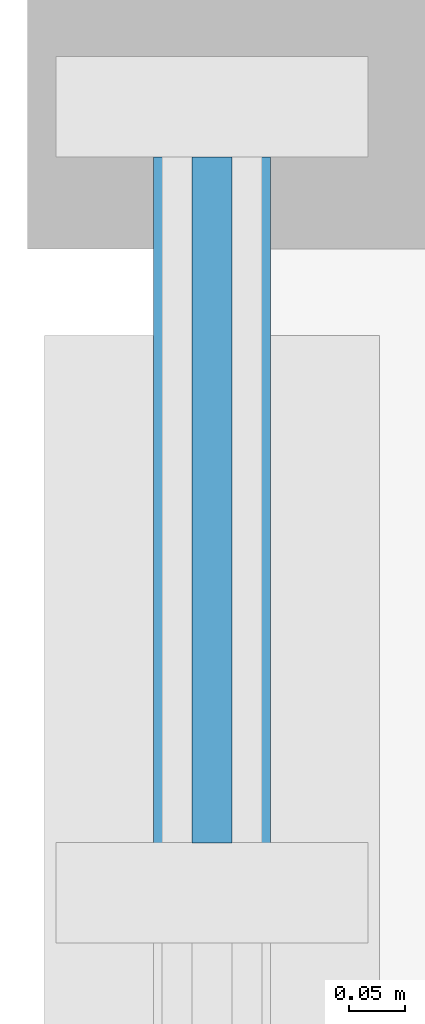
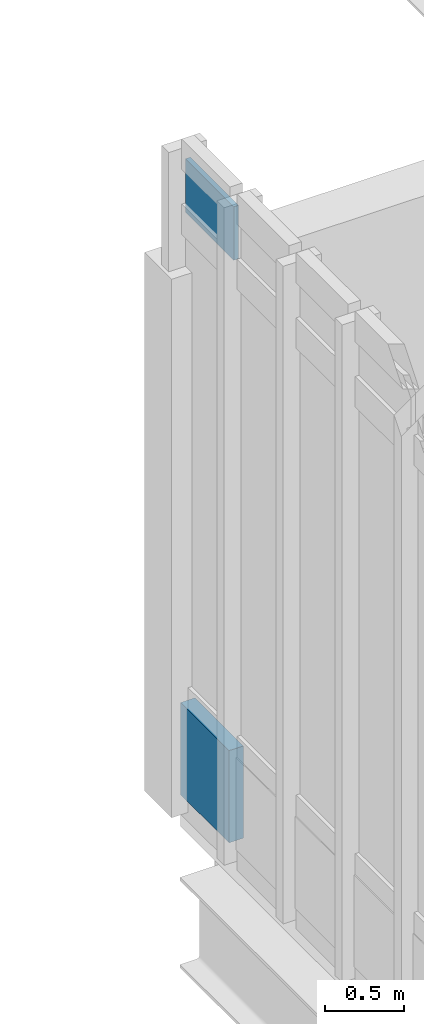
# One storey, part 93 of 127: 2 plates, 1 element without a shape of its own.
"""IFC4 building model written with IfcOpenShell, lengths in metres."""

from ifc_helpers import new_model, si_unit, direction, frame, origin, origin_2d, place, context, subcontext, project, spatial, rectangle, extrude, material, layer, layer_set, type_object, element, aggregate, save


model = new_model("IFC4")

# Units and contexts
model_context = context("Model", 3, precision=1e-05, world=origin(), true_north=direction((0.0, 1.0)))
body_context = subcontext(model_context, "Body", "Model", "MODEL_VIEW")
ifc_project = project(units=[si_unit("LENGTHUNIT", "METRE"), si_unit("AREAUNIT", "SQUARE_METRE"), si_unit("VOLUMEUNIT", "CUBIC_METRE"), si_unit("PLANEANGLEUNIT", "RADIAN"), si_unit("MASSUNIT", "GRAM", prefix="KILO")], contexts=[model_context])

# Site, building, storey
site_placement = place(None, origin())
site = spatial("IfcSite", under=ifc_project, at=site_placement, CompositionType="ELEMENT")
building_placement = place(site_placement, origin())
building = spatial("IfcBuilding", under=site, at=building_placement, Name="Larkvane Passage Sports Hall", CompositionType="ELEMENT")
storey_placement = place(building_placement, frame((0.0, 0.0, 5.39990234375)))
storey = spatial("IfcBuildingStorey", under=building, at=storey_placement, Name="L01", CompositionType="ELEMENT", Elevation=5.39990234375)

# Curtain wall, plates
ifc_material_1 = material(Name="Thermally broken aluminium and low-E glazing", Category="aluminium")
curtain_wall_type = type_object("IfcCurtainWallType", Name="CW-STICK-FOYER", PredefinedType="USERDEFINED", material=ifc_material_1)
curtain_wall_placement = place(storey_placement, origin())
curtain_wall = element("IfcCurtainWall", 1, at=curtain_wall_placement, inside=storey, type_object=curtain_wall_type, Name="Curtain wall CW5-L01-050", ObjectType="STICK CURTAIN WALL", PredefinedType="USERDEFINED")
ifc_material_2 = material(Name="Fire-stopped shadow-box spandrel panel")
ifc_layer_1 = layer(ifc_material_2, 0.10498046875)
ifc_layer_set_1 = layer_set([ifc_layer_1], Name="Fire-stopped shadow-box spandrel panel")
plate_type_1 = type_object("IfcPlateType", Name="CWP-SPD-105", PredefinedType="CURTAIN_PANEL", material=ifc_layer_set_1)
plate_1_placement = place(storey_placement, frame((118.0, 63.202392578125, 0.08984375), z_axis=(0.0, 0.0, 1.0), x_axis=(0.0, 1.0, 0.0)))
plate_1 = element("IfcPlate", 2, at=plate_1_placement, type_object=plate_type_1, Name="CW-03 panel 8.1", PredefinedType="CURTAIN_PANEL", context=body_context, shape_type="SweptSolid", body=[
    extrude(rectangle(XDim=0.614990234375, YDim=0.10498046875, at=origin_2d()), origin(), (0.0, 0.0, 1.0), 0.715087890625),
])
ifc_material_3 = material(Name="High-impact court low-E glazing", Category="glass")
ifc_layer_2 = layer(ifc_material_3, 0.035888671875)
ifc_layer_set_2 = layer_set([ifc_layer_2], Name="High-impact court low-E glazing")
plate_type_2 = type_object("IfcPlateType", Name="CWP-VIS-36", PredefinedType="CURTAIN_PANEL", material=ifc_layer_set_2)
plate_2_placement = place(storey_placement, frame((118.0, 63.202392578125, 4.594970703125), z_axis=(0.0, 0.0, 1.0), x_axis=(0.0, 1.0, 0.0)))
plate_2 = element("IfcPlate", 3, at=plate_2_placement, type_object=plate_type_2, Name="CW-03 panel 8.3", PredefinedType="CURTAIN_PANEL", context=body_context, shape_type="SweptSolid", body=[
    extrude(rectangle(XDim=0.614990234375, YDim=0.035888671875, at=origin_2d()), origin(), (0.0, 0.0, 1.0), 0.4150390625),
])
aggregate(curtain_wall, [plate_1, plate_2])

save(model, "model.ifc")
